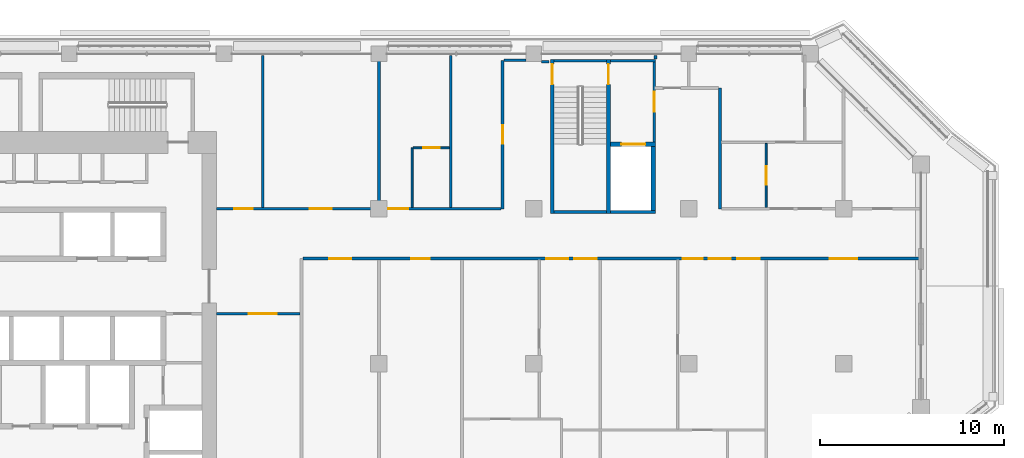
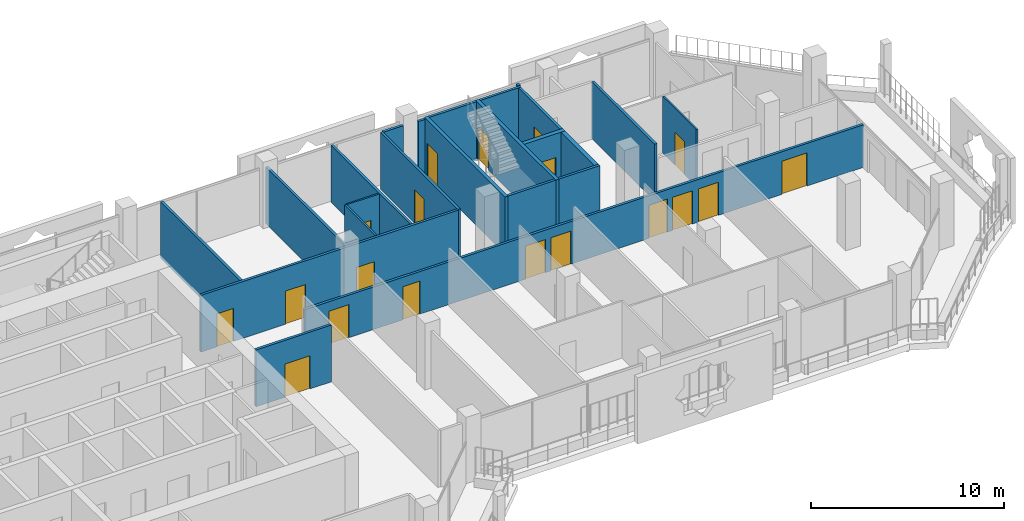
# One storey, part 12 of 21: 23 walls, 19 doors, 19 openings.
"""IFC4 building model written with IfcOpenShell, lengths in metres."""

from ifc_helpers import new_model, si_unit, direction, frame, frame_2d, origin, place, context, subcontext, project, spatial, rectangle, extrude, material, layer, layer_set, type_object, element, fill, save


model = new_model("IFC4")

# Units and contexts
model_context = context("Model", 3, precision=1e-05, world=origin(), true_north=direction((0.0, 1.0)))
body_context = subcontext(model_context, "Body", "Model", "MODEL_VIEW")
ifc_project = project(units=[si_unit("LENGTHUNIT", "METRE"), si_unit("AREAUNIT", "SQUARE_METRE"), si_unit("VOLUMEUNIT", "CUBIC_METRE"), si_unit("PLANEANGLEUNIT", "RADIAN"), si_unit("MASSUNIT", "GRAM", prefix="KILO")], contexts=[model_context])

# Site, building, storey
site_placement = place(None, origin())
site = spatial("IfcSite", under=ifc_project, at=site_placement, CompositionType="ELEMENT")
building_placement = place(site_placement, origin())
building = spatial("IfcBuilding", under=site, at=building_placement, Name="Kawkab Arch Medical Tower", CompositionType="ELEMENT")
storey_placement = place(building_placement, frame((0.0, 0.0, 260.0)))
storey = spatial("IfcBuildingStorey", under=building, at=storey_placement, Name="L60", CompositionType="ELEMENT", Elevation=260.0)

# Wall, opening, door
ifc_material_1 = material(Name="Gypsum board on steel studs", Category="steel")
ifc_layer_1 = layer(ifc_material_1, 0.14990234375)
ifc_layer_set_1 = layer_set([ifc_layer_1], Name="Gypsum board on steel studs")
wall_type_1 = type_object("IfcWallType", Name="Core room partition 150", PredefinedType="PARTITIONING", material=ifc_layer_set_1)
wall_1_placement = place(storey_placement, frame((48.52490234375, -4.77490234375, 0.0), z_axis=(0.0, 0.0, 1.0), x_axis=(0.0, 1.0, 0.0)))
wall_1 = element("IfcWall", 1, at=wall_1_placement, inside=storey, type_object=wall_type_1, Name="L60 core room partition", PredefinedType="PARTITIONING", context=body_context, shape_type="SweptSolid", body=[
    extrude(rectangle(XDim=4.324951171875, YDim=0.14990234375, at=frame_2d((2.16259765625, 0.0))), origin(), (0.0, 0.0, 1.0), 3.60009765625),
])
opening_1_placement = place(wall_1_placement, frame((1.625, 0.0, 0.0)))
opening_1 = element("IfcOpeningElement", 2, at=opening_1_placement, cuts=wall_1, Name="Opening FD", PredefinedType="OPENING", context=body_context, shape_type="SweptSolid", body=[
    extrude(rectangle(XDim=1.10009765625, YDim=2.10009765625, at=frame_2d((0.550048828125, 1.050048828125))), frame((0.0, 0.0849609375, 0.0), z_axis=(0.0, -1.0, 0.0), x_axis=(1.0, 0.0, 0.0)), (0.0, 0.0, 1.0), 0.169921875),
])
ifc_material_2 = material(Name="Hollow metal fire door leaf")
door_type_1 = type_object("IfcDoorType", Name="Firefighting lobby door 1100", OperationType="SINGLE_SWING_LEFT", PredefinedType="DOOR", material=ifc_material_2)
door_1_placement = place(opening_1_placement, origin())
door_1 = element("IfcDoor", 3, at=door_1_placement, inside=storey, type_object=door_type_1, Name="L60 Service lift lobby door SV1", OperationType="SINGLE_SWING_LEFT", OverallHeight=2.10009765625, OverallWidth=1.10009765625, PredefinedType="DOOR", context=body_context, shape_type="SweptSolid", body=[
    extrude(rectangle(XDim=1.10009765625, YDim=2.10009765625, at=frame_2d((0.550048828125, 1.050048828125))), frame((0.0, 0.02490234375, 0.0), z_axis=(0.0, -1.0, 0.0), x_axis=(1.0, 0.0, 0.0)), (0.0, 0.0, 1.0), 0.050048828125),
])
fill(opening_1, door_1)

ifc_material_3 = material(Name="Concrete C60/75", Category="concrete")
ifc_layer_2 = layer(ifc_material_3, 0.25)
ifc_layer_set_2 = layer_set([ifc_layer_2], Name="Concrete C60/75")
wall_type_2 = type_object("IfcWallType", Name="Core shear wall 250 C60/75", PredefinedType="SHEAR", material=ifc_layer_set_2)
wall_2_placement = place(storey_placement, frame((46.14990234375, -4.89990234375, 0.0), z_axis=(0.0, 0.0, 1.0), x_axis=(1.0, 0.0, 0.0)))
wall_2 = element("IfcWall", 4, at=wall_2_placement, inside=storey, type_object=wall_type_2, Name="L60 core shear wall", PredefinedType="SHEAR", context=body_context, shape_type="SweptSolid", body=[
    extrude(rectangle(XDim=2.4501953125, YDim=0.25, at=frame_2d((1.22509765625, 0.0))), origin(), (0.0, 0.0, 1.0), 3.60009765625),
])
opening_2_placement = place(wall_2_placement, frame((0.60009765625, 0.0, 0.0)))
opening_2 = element("IfcOpeningElement", 5, at=opening_2_placement, cuts=wall_2, Name="Opening LD2", PredefinedType="OPENING", context=body_context, shape_type="SweptSolid", body=[
    extrude(rectangle(XDim=1.300048828125, YDim=2.10009765625, at=frame_2d((0.64990234375, 1.050048828125))), frame((0.0, 0.135009765625, 0.0), z_axis=(0.0, -1.0, 0.0), x_axis=(1.0, 0.0, 0.0)), (0.0, 0.0, 1.0), 0.27001953125),
])
ifc_material_4 = material(Name="Stainless steel lift door leaf", Category="steel")
door_type_2 = type_object("IfcDoorType", Name="Lift landing door 1300", OperationType="DOUBLE_DOOR_SLIDING", PredefinedType="DOOR", material=ifc_material_4)
door_2_placement = place(opening_2_placement, origin())
door_2 = element("IfcDoor", 6, at=door_2_placement, inside=storey, type_object=door_type_2, Name="L60 Lift landing door SV1", OperationType="DOUBLE_DOOR_SLIDING", OverallHeight=2.10009765625, OverallWidth=1.300048828125, PredefinedType="DOOR", context=body_context, shape_type="SweptSolid", body=[
    extrude(rectangle(XDim=1.300048828125, YDim=2.10009765625, at=frame_2d((0.64990234375, 1.050048828125))), frame((0.0, 0.02490234375, 0.0), z_axis=(0.0, -1.0, 0.0), x_axis=(1.0, 0.0, 0.0)), (0.0, 0.0, 1.0), 0.050048828125),
])
fill(opening_2, door_2)

# Wall
wall_3_placement = place(storey_placement, frame((48.47509765625, -8.5, 0.0), z_axis=(0.0, 0.0, 1.0), x_axis=(0.0, 1.0, 0.0)))
element("IfcWall", 7, at=wall_3_placement, inside=storey, type_object=wall_type_2, Name="L60 core shear wall", PredefinedType="SHEAR", context=body_context, shape_type="SweptSolid", body=[
    extrude(rectangle(XDim=3.47509765625, YDim=0.25, at=frame_2d((1.737548828125, 0.0))), origin(), (0.0, 0.0, 1.0), 3.60009765625),
])

# Wall, opening, door
ifc_material_5 = material(Name="Gypsum board partition on steel studs", Category="steel")
ifc_layer_3 = layer(ifc_material_5, 0.10009765625)
ifc_layer_set_3 = layer_set([ifc_layer_3], Name="Gypsum board partition on steel studs")
wall_type_3 = type_object("IfcWallType", Name="Partition 100", PredefinedType="PARTITIONING", material=ifc_layer_set_3)
wall_4_placement = place(storey_placement, frame((35.449951171875, -5.10009765625, 0.0), z_axis=(0.0, 0.0, 1.0), x_axis=(1.0, 0.0, 0.0)))
wall_4 = element("IfcWall", 8, at=wall_4_placement, inside=storey, type_object=wall_type_3, Name="Partition 100 w003", PredefinedType="PARTITIONING", context=body_context, shape_type="SweptSolid", body=[
    extrude(rectangle(XDim=1.97509765625, YDim=0.10009765625, at=frame_2d((0.987548828125, 0.0))), origin(), (0.0, 0.0, 1.0), 3.60009765625),
])
opening_3_placement = place(wall_4_placement, frame((0.550048828125, 0.0, 0.0)))
opening_3 = element("IfcOpeningElement", 9, at=opening_3_placement, cuts=wall_4, Name="Opening W55-005", PredefinedType="OPENING", context=body_context, shape_type="SweptSolid", body=[
    extrude(rectangle(XDim=0.89990234375, YDim=2.10009765625, at=frame_2d((0.449951171875, 1.050048828125))), frame((0.0, 0.06005859375, 0.0), z_axis=(0.0, -1.0, 0.0), x_axis=(1.0, 0.0, 0.0)), (0.0, 0.0, 1.0), 0.1201171875),
])
ifc_material_6 = material(Name="Timber door leaf", Category="wood")
door_type_3 = type_object("IfcDoorType", Name="Single door 900x2100", OperationType="NOTDEFINED", PredefinedType="DOOR", material=ifc_material_6)
door_3_placement = place(opening_3_placement, origin())
door_3 = element("IfcDoor", 10, at=door_3_placement, inside=storey, type_object=door_type_3, Name="Door W55-005", OperationType="SINGLE_SWING_RIGHT", OverallHeight=2.10009765625, OverallWidth=0.89990234375, PredefinedType="DOOR", context=body_context, shape_type="SweptSolid", body=[
    extrude(rectangle(XDim=0.89990234375, YDim=2.10009765625, at=frame_2d((0.449951171875, 1.050048828125))), frame((0.0, 0.02490234375, 0.0), z_axis=(0.0, -1.0, 0.0), x_axis=(1.0, 0.0, 0.0)), (0.0, 0.0, 1.0), 0.050048828125),
])
fill(opening_3, door_3)

# Wall
wall_5_placement = place(storey_placement, frame((35.39990234375, -8.324951171875, 0.0), z_axis=(0.0, 0.0, 1.0), x_axis=(0.0, 1.0, 0.0)))
element("IfcWall", 11, at=wall_5_placement, inside=storey, type_object=wall_type_3, Name="Partition 100 w005", PredefinedType="PARTITIONING", context=body_context, shape_type="SweptSolid", body=[
    extrude(rectangle(XDim=3.224853515625, YDim=0.10009765625, at=frame_2d((1.6123046875, 0.0))), origin(), (0.0, 0.0, 1.0), 3.60009765625),
])

# Wall, opening, door
wall_6_placement = place(storey_placement, frame((54.60009765625, -8.324951171875, 0.0), z_axis=(0.0, 0.0, 1.0), x_axis=(0.0, 1.0, 0.0)))
wall_6 = element("IfcWall", 12, at=wall_6_placement, inside=storey, type_object=wall_type_3, Name="Partition 100 w010", PredefinedType="PARTITIONING", context=body_context, shape_type="SweptSolid", body=[
    extrude(rectangle(XDim=3.474853515625, YDim=0.10009765625, at=frame_2d((1.7373046875, 0.0))), origin(), (0.0, 0.0, 1.0), 3.60009765625),
])
opening_4_placement = place(wall_6_placement, frame((1.22509765625, 0.0, 0.0)))
opening_4 = element("IfcOpeningElement", 13, at=opening_4_placement, cuts=wall_6, Name="Opening W55-011", PredefinedType="OPENING", context=body_context, shape_type="SweptSolid", body=[
    extrude(rectangle(XDim=1.0, YDim=2.10009765625, at=frame_2d((0.5, 1.050048828125))), frame((0.0, 0.06005859375, 0.0), z_axis=(0.0, -1.0, 0.0), x_axis=(1.0, 0.0, 0.0)), (0.0, 0.0, 1.0), 0.1201171875),
])
ifc_material_7 = material(Name="Timber door leaf", Category="wood")
door_type_4 = type_object("IfcDoorType", Name="Single door 1000x2100", OperationType="NOTDEFINED", PredefinedType="DOOR", material=ifc_material_7)
door_4_placement = place(opening_4_placement, origin())
door_4 = element("IfcDoor", 14, at=door_4_placement, inside=storey, type_object=door_type_4, Name="Door W55-011", OperationType="SINGLE_SWING_RIGHT", OverallHeight=2.10009765625, OverallWidth=1.0, PredefinedType="DOOR", context=body_context, shape_type="SweptSolid", body=[
    extrude(rectangle(XDim=1.0, YDim=2.10009765625, at=frame_2d((0.5, 1.050048828125))), frame((0.0, 0.02490234375, 0.0), z_axis=(0.0, -1.0, 0.0), x_axis=(1.0, 0.0, 0.0)), (0.0, 0.0, 1.0), 0.050048828125),
])
fill(opening_4, door_4)

ifc_material_8 = material(Name="Gypsum board partition on steel studs, mineral wool", Category="steel")
ifc_layer_4 = layer(ifc_material_8, 0.14990234375)
ifc_layer_set_4 = layer_set([ifc_layer_4], Name="Gypsum board partition on steel studs, mineral wool")
wall_type_4 = type_object("IfcWallType", Name="Partition 150", PredefinedType="PARTITIONING", material=ifc_layer_set_4)
wall_7_placement = place(storey_placement, frame((24.800048828125, -14.10009765625, 0.0), z_axis=(0.0, 0.0, 1.0), x_axis=(1.0, 0.0, 0.0)))
wall_7 = element("IfcWall", 15, at=wall_7_placement, inside=storey, type_object=wall_type_4, Name="Partition 150 w020", PredefinedType="PARTITIONING", context=body_context, shape_type="SweptSolid", body=[
    extrude(rectangle(XDim=4.52490234375, YDim=0.14990234375, at=frame_2d((2.262451171875, 0.0))), origin(), (0.0, 0.0, 1.0), 3.60009765625),
])
opening_5_placement = place(wall_7_placement, frame((1.75, 0.0, 0.0)))
opening_5 = element("IfcOpeningElement", 16, at=opening_5_placement, cuts=wall_7, Name="Opening W55-001", PredefinedType="OPENING", context=body_context, shape_type="SweptSolid", body=[
    extrude(rectangle(XDim=1.5, YDim=2.10009765625, at=frame_2d((0.75, 1.050048828125))), frame((0.0, 0.0849609375, 0.0), z_axis=(0.0, -1.0, 0.0), x_axis=(1.0, 0.0, 0.0)), (0.0, 0.0, 1.0), 0.169921875),
])
ifc_material_9 = material(Name="Hollow metal door leaf")
door_type_5 = type_object("IfcDoorType", Name="Double door 1500x2100 FD30S", OperationType="NOTDEFINED", PredefinedType="DOOR", material=ifc_material_9)
door_5_placement = place(opening_5_placement, origin())
door_5 = element("IfcDoor", 17, at=door_5_placement, inside=storey, type_object=door_type_5, Name="Door W55-001", OperationType="DOUBLE_DOOR_SINGLE_SWING", OverallHeight=2.10009765625, OverallWidth=1.5, PredefinedType="DOOR", context=body_context, shape_type="SweptSolid", body=[
    extrude(rectangle(XDim=1.5, YDim=2.10009765625, at=frame_2d((0.75, 1.050048828125))), frame((0.0, 0.02490234375, 0.0), z_axis=(0.0, -1.0, 0.0), x_axis=(1.0, 0.0, 0.0)), (0.0, 0.0, 1.0), 0.050048828125),
])
fill(opening_5, door_5)

# Wall, openings, doors
wall_8_placement = place(storey_placement, frame((29.47509765625, -11.10009765625, 0.0), z_axis=(0.0, 0.0, 1.0), x_axis=(1.0, 0.0, 0.0)))
wall_8 = element("IfcWall", 18, at=wall_8_placement, inside=storey, type_object=wall_type_4, Name="Partition 150 w021", PredefinedType="PARTITIONING", context=body_context, shape_type="SweptSolid", body=[
    extrude(rectangle(XDim=33.44482421875, YDim=0.14990234375, at=frame_2d((16.722412109375, 0.0))), origin(), (0.0, 0.0, 1.0), 2.699951171875),
])
opening_6_placement = place(wall_8_placement, frame((1.425048828125, 0.0, 0.0)))
opening_6 = element("IfcOpeningElement", 19, at=opening_6_placement, cuts=wall_8, Name="Opening W55-026", PredefinedType="OPENING", context=body_context, shape_type="SweptSolid", body=[
    extrude(rectangle(XDim=1.199951171875, YDim=2.10009765625, at=frame_2d((0.60009765625, 1.050048828125))), frame((0.0, 0.0849609375, 0.0), z_axis=(0.0, -1.0, 0.0), x_axis=(1.0, 0.0, 0.0)), (0.0, 0.0, 1.0), 0.169921875),
])
opening_7_placement = place(wall_8_placement, frame((5.875, 0.0, 0.0)))
opening_7 = element("IfcOpeningElement", 20, at=opening_7_placement, cuts=wall_8, Name="Opening W55-019", PredefinedType="OPENING", context=body_context, shape_type="SweptSolid", body=[
    extrude(rectangle(XDim=1.0, YDim=2.10009765625, at=frame_2d((0.5, 1.050048828125))), frame((0.0, 0.0849609375, 0.0), z_axis=(0.0, -1.0, 0.0), x_axis=(1.0, 0.0, 0.0)), (0.0, 0.0, 1.0), 0.169921875),
])
opening_8_placement = place(wall_8_placement, frame((14.72509765625, 0.0, 0.0)))
opening_8 = element("IfcOpeningElement", 21, at=opening_8_placement, cuts=wall_8, Name="Opening W55-027", PredefinedType="OPENING", context=body_context, shape_type="SweptSolid", body=[
    extrude(rectangle(XDim=1.199951171875, YDim=2.10009765625, at=frame_2d((0.60009765625, 1.050048828125))), frame((0.0, 0.0849609375, 0.0), z_axis=(0.0, -1.0, 0.0), x_axis=(1.0, 0.0, 0.0)), (0.0, 0.0, 1.0), 0.169921875),
])
opening_9_placement = place(wall_8_placement, frame((13.205078125, 0.0, 0.0)))
opening_9 = element("IfcOpeningElement", 22, at=opening_9_placement, cuts=wall_8, Name="Opening W55-028", PredefinedType="OPENING", context=body_context, shape_type="SweptSolid", body=[
    extrude(rectangle(XDim=1.199951171875, YDim=2.10009765625, at=frame_2d((0.60009765625, 1.050048828125))), frame((0.0, 0.0849609375, 0.0), z_axis=(0.0, -1.0, 0.0), x_axis=(1.0, 0.0, 0.0)), (0.0, 0.0, 1.0), 0.169921875),
])
opening_10_placement = place(wall_8_placement, frame((23.56494140625, 0.0, 0.0)))
opening_10 = element("IfcOpeningElement", 23, at=opening_10_placement, cuts=wall_8, Name="Opening W55-029", PredefinedType="OPENING", context=body_context, shape_type="SweptSolid", body=[
    extrude(rectangle(XDim=1.199951171875, YDim=2.10009765625, at=frame_2d((0.60009765625, 1.050048828125))), frame((0.0, 0.0849609375, 0.0), z_axis=(0.0, -1.0, 0.0), x_axis=(1.0, 0.0, 0.0)), (0.0, 0.0, 1.0), 0.169921875),
])
opening_11_placement = place(wall_8_placement, frame((22.0048828125, 0.0, 0.0)))
opening_11 = element("IfcOpeningElement", 24, at=opening_11_placement, cuts=wall_8, Name="Opening W55-030", PredefinedType="OPENING", context=body_context, shape_type="SweptSolid", body=[
    extrude(rectangle(XDim=1.199951171875, YDim=2.10009765625, at=frame_2d((0.60009765625, 1.050048828125))), frame((0.0, 0.0849609375, 0.0), z_axis=(0.0, -1.0, 0.0), x_axis=(1.0, 0.0, 0.0)), (0.0, 0.0, 1.0), 0.169921875),
])
opening_12_placement = place(wall_8_placement, frame((20.594970703125, 0.0, 0.0)))
opening_12 = element("IfcOpeningElement", 25, at=opening_12_placement, cuts=wall_8, Name="Opening W55-023", PredefinedType="OPENING", context=body_context, shape_type="SweptSolid", body=[
    extrude(rectangle(XDim=1.10009765625, YDim=2.10009765625, at=frame_2d((0.550048828125, 1.050048828125))), frame((0.0, 0.0849609375, 0.0), z_axis=(0.0, -1.0, 0.0), x_axis=(1.0, 0.0, 0.0)), (0.0, 0.0, 1.0), 0.169921875),
])
opening_13_placement = place(wall_8_placement, frame((28.574951171875, 0.0, 0.0)))
opening_13 = element("IfcOpeningElement", 26, at=opening_13_placement, cuts=wall_8, Name="Opening W55-002", PredefinedType="OPENING", context=body_context, shape_type="SweptSolid", body=[
    extrude(rectangle(XDim=1.5, YDim=2.10009765625, at=frame_2d((0.75, 1.050048828125))), frame((0.0, 0.0849609375, 0.0), z_axis=(0.0, -1.0, 0.0), x_axis=(1.0, 0.0, 0.0)), (0.0, 0.0, 1.0), 0.169921875),
])
door_6_placement = place(opening_13_placement, origin())
door_6 = element("IfcDoor", 27, at=door_6_placement, inside=storey, type_object=door_type_5, Name="Door W55-002", OperationType="DOUBLE_DOOR_SINGLE_SWING", OverallHeight=2.10009765625, OverallWidth=1.5, PredefinedType="DOOR", context=body_context, shape_type="SweptSolid", body=[
    extrude(rectangle(XDim=1.5, YDim=2.10009765625, at=frame_2d((0.75, 1.050048828125))), frame((0.0, 0.02490234375, 0.0), z_axis=(0.0, -1.0, 0.0), x_axis=(1.0, 0.0, 0.0)), (0.0, 0.0, 1.0), 0.050048828125),
])
fill(opening_13, door_6)
ifc_material_10 = material(Name="Hollow metal door leaf")
door_type_6 = type_object("IfcDoorType", Name="Single door 1000x2100 FD30S", OperationType="NOTDEFINED", PredefinedType="DOOR", material=ifc_material_10)
door_7_placement = place(opening_7_placement, origin())
door_7 = element("IfcDoor", 28, at=door_7_placement, inside=storey, type_object=door_type_6, Name="Door W55-019", OperationType="SINGLE_SWING_RIGHT", OverallHeight=2.10009765625, OverallWidth=1.0, PredefinedType="DOOR", context=body_context, shape_type="SweptSolid", body=[
    extrude(rectangle(XDim=1.0, YDim=2.10009765625, at=frame_2d((0.5, 1.050048828125))), frame((0.0, 0.02490234375, 0.0), z_axis=(0.0, -1.0, 0.0), x_axis=(1.0, 0.0, 0.0)), (0.0, 0.0, 1.0), 0.050048828125),
])
fill(opening_7, door_7)
ifc_material_11 = material(Name="Hollow metal door leaf")
door_type_7 = type_object("IfcDoorType", Name="Single door 1100x2100 FD30S", OperationType="NOTDEFINED", PredefinedType="DOOR", material=ifc_material_11)
door_8_placement = place(opening_12_placement, origin())
door_8 = element("IfcDoor", 29, at=door_8_placement, inside=storey, type_object=door_type_7, Name="Door W55-023", OperationType="SINGLE_SWING_LEFT", OverallHeight=2.10009765625, OverallWidth=1.10009765625, PredefinedType="DOOR", context=body_context, shape_type="SweptSolid", body=[
    extrude(rectangle(XDim=1.10009765625, YDim=2.10009765625, at=frame_2d((0.550048828125, 1.050048828125))), frame((0.0, 0.02490234375, 0.0), z_axis=(0.0, -1.0, 0.0), x_axis=(1.0, 0.0, 0.0)), (0.0, 0.0, 1.0), 0.050048828125),
])
fill(opening_12, door_8)
ifc_material_12 = material(Name="Hollow metal door leaf")
door_type_8 = type_object("IfcDoorType", Name="Single door 1200x2100 FD30S", OperationType="NOTDEFINED", PredefinedType="DOOR", material=ifc_material_12)
door_9_placement = place(opening_6_placement, origin())
door_9 = element("IfcDoor", 30, at=door_9_placement, inside=storey, type_object=door_type_8, Name="Door W55-026", OperationType="SINGLE_SWING_RIGHT", OverallHeight=2.10009765625, OverallWidth=1.199951171875, PredefinedType="DOOR", context=body_context, shape_type="SweptSolid", body=[
    extrude(rectangle(XDim=1.199951171875, YDim=2.10009765625, at=frame_2d((0.60009765625, 1.050048828125))), frame((0.0, 0.02490234375, 0.0), z_axis=(0.0, -1.0, 0.0), x_axis=(1.0, 0.0, 0.0)), (0.0, 0.0, 1.0), 0.050048828125),
])
fill(opening_6, door_9)
door_10_placement = place(opening_8_placement, origin())
door_10 = element("IfcDoor", 31, at=door_10_placement, inside=storey, type_object=door_type_8, Name="Door W55-027", OperationType="SINGLE_SWING_RIGHT", OverallHeight=2.10009765625, OverallWidth=1.199951171875, PredefinedType="DOOR", context=body_context, shape_type="SweptSolid", body=[
    extrude(rectangle(XDim=1.199951171875, YDim=2.10009765625, at=frame_2d((0.60009765625, 1.050048828125))), frame((0.0, 0.02490234375, 0.0), z_axis=(0.0, -1.0, 0.0), x_axis=(1.0, 0.0, 0.0)), (0.0, 0.0, 1.0), 0.050048828125),
])
fill(opening_8, door_10)
door_11_placement = place(opening_9_placement, origin())
door_11 = element("IfcDoor", 32, at=door_11_placement, inside=storey, type_object=door_type_8, Name="Door W55-028", OperationType="SINGLE_SWING_RIGHT", OverallHeight=2.10009765625, OverallWidth=1.199951171875, PredefinedType="DOOR", context=body_context, shape_type="SweptSolid", body=[
    extrude(rectangle(XDim=1.199951171875, YDim=2.10009765625, at=frame_2d((0.60009765625, 1.050048828125))), frame((0.0, 0.02490234375, 0.0), z_axis=(0.0, -1.0, 0.0), x_axis=(1.0, 0.0, 0.0)), (0.0, 0.0, 1.0), 0.050048828125),
])
fill(opening_9, door_11)
door_12_placement = place(opening_10_placement, origin())
door_12 = element("IfcDoor", 33, at=door_12_placement, inside=storey, type_object=door_type_8, Name="Door W55-029", OperationType="SINGLE_SWING_LEFT", OverallHeight=2.10009765625, OverallWidth=1.199951171875, PredefinedType="DOOR", context=body_context, shape_type="SweptSolid", body=[
    extrude(rectangle(XDim=1.199951171875, YDim=2.10009765625, at=frame_2d((0.60009765625, 1.050048828125))), frame((0.0, 0.02490234375, 0.0), z_axis=(0.0, -1.0, 0.0), x_axis=(1.0, 0.0, 0.0)), (0.0, 0.0, 1.0), 0.050048828125),
])
fill(opening_10, door_12)
door_13_placement = place(opening_11_placement, origin())
door_13 = element("IfcDoor", 34, at=door_13_placement, inside=storey, type_object=door_type_8, Name="Door W55-030", OperationType="SINGLE_SWING_LEFT", OverallHeight=2.10009765625, OverallWidth=1.199951171875, PredefinedType="DOOR", context=body_context, shape_type="SweptSolid", body=[
    extrude(rectangle(XDim=1.199951171875, YDim=2.10009765625, at=frame_2d((0.60009765625, 1.050048828125))), frame((0.0, 0.02490234375, 0.0), z_axis=(0.0, -1.0, 0.0), x_axis=(1.0, 0.0, 0.0)), (0.0, 0.0, 1.0), 0.050048828125),
])
fill(opening_11, door_13)

wall_9_placement = place(storey_placement, frame((24.800048828125, -8.39990234375, 0.0), z_axis=(0.0, 0.0, 1.0), x_axis=(1.0, 0.0, 0.0)))
wall_9 = element("IfcWall", 35, at=wall_9_placement, inside=storey, type_object=wall_type_4, Name="Partition 150 w022", PredefinedType="PARTITIONING", context=body_context, shape_type="SweptSolid", body=[
    extrude(rectangle(XDim=15.431884765625, YDim=0.14990234375, at=frame_2d((7.7158203125, 0.0))), origin(), (0.0, 0.0, 1.0), 3.60009765625),
])
opening_14_placement = place(wall_9_placement, frame((9.300048828125, 0.0, 0.0)))
opening_14 = element("IfcOpeningElement", 36, at=opening_14_placement, cuts=wall_9, Name="Opening W55-022", PredefinedType="OPENING", context=body_context, shape_type="SweptSolid", body=[
    extrude(rectangle(XDim=1.10009765625, YDim=2.10009765625, at=frame_2d((0.550048828125, 1.050048828125))), frame((0.0, 0.0849609375, 0.0), z_axis=(0.0, -1.0, 0.0), x_axis=(1.0, 0.0, 0.0)), (0.0, 0.0, 1.0), 0.169921875),
])
opening_15_placement = place(wall_9_placement, frame((0.949951171875, 0.0, 0.0)))
opening_15 = element("IfcOpeningElement", 37, at=opening_15_placement, cuts=wall_9, Name="Opening W55-016", PredefinedType="OPENING", context=body_context, shape_type="SweptSolid", body=[
    extrude(rectangle(XDim=1.0, YDim=2.10009765625, at=frame_2d((0.5, 1.050048828125))), frame((0.0, 0.0849609375, 0.0), z_axis=(0.0, -1.0, 0.0), x_axis=(1.0, 0.0, 0.0)), (0.0, 0.0, 1.0), 0.169921875),
])
opening_16_placement = place(wall_9_placement, frame((5.050048828125, 0.0, 0.0)))
opening_16 = element("IfcOpeningElement", 38, at=opening_16_placement, cuts=wall_9, Name="Opening W55-032", PredefinedType="OPENING", context=body_context, shape_type="SweptSolid", body=[
    extrude(rectangle(XDim=1.199951171875, YDim=2.10009765625, at=frame_2d((0.60009765625, 1.050048828125))), frame((0.0, 0.0849609375, 0.0), z_axis=(0.0, -1.0, 0.0), x_axis=(1.0, 0.0, 0.0)), (0.0, 0.0, 1.0), 0.169921875),
])
door_14_placement = place(opening_15_placement, origin())
door_14 = element("IfcDoor", 39, at=door_14_placement, inside=storey, type_object=door_type_4, Name="Door W55-016", OperationType="SINGLE_SWING_LEFT", OverallHeight=2.10009765625, OverallWidth=1.0, PredefinedType="DOOR", context=body_context, shape_type="SweptSolid", body=[
    extrude(rectangle(XDim=1.0, YDim=2.10009765625, at=frame_2d((0.5, 1.050048828125))), frame((0.0, 0.02490234375, 0.0), z_axis=(0.0, -1.0, 0.0), x_axis=(1.0, 0.0, 0.0)), (0.0, 0.0, 1.0), 0.050048828125),
])
fill(opening_15, door_14)
door_15_placement = place(opening_14_placement, origin())
door_15 = element("IfcDoor", 40, at=door_15_placement, inside=storey, type_object=door_type_7, Name="Door W55-022", OperationType="SINGLE_SWING_RIGHT", OverallHeight=2.10009765625, OverallWidth=1.10009765625, PredefinedType="DOOR", context=body_context, shape_type="SweptSolid", body=[
    extrude(rectangle(XDim=1.10009765625, YDim=2.10009765625, at=frame_2d((0.550048828125, 1.050048828125))), frame((0.0, 0.02490234375, 0.0), z_axis=(0.0, -1.0, 0.0), x_axis=(1.0, 0.0, 0.0)), (0.0, 0.0, 1.0), 0.050048828125),
])
fill(opening_14, door_15)
door_16_placement = place(opening_16_placement, origin())
door_16 = element("IfcDoor", 41, at=door_16_placement, inside=storey, type_object=door_type_8, Name="Door W55-032", OperationType="SINGLE_SWING_LEFT", OverallHeight=2.10009765625, OverallWidth=1.199951171875, PredefinedType="DOOR", context=body_context, shape_type="SweptSolid", body=[
    extrude(rectangle(XDim=1.199951171875, YDim=2.10009765625, at=frame_2d((0.60009765625, 1.050048828125))), frame((0.0, 0.02490234375, 0.0), z_axis=(0.0, -1.0, 0.0), x_axis=(1.0, 0.0, 0.0)), (0.0, 0.0, 1.0), 0.050048828125),
])
fill(opening_16, door_16)

# Walls
wall_10_placement = place(storey_placement, frame((42.427001953125, -0.425048828125, 0.0), z_axis=(0.0, 0.0, 1.0), x_axis=(1.0, 0.0, 0.0)))
element("IfcWall", 42, at=wall_10_placement, inside=storey, type_object=wall_type_4, Name="Partition 150 w026", PredefinedType="PARTITIONING", context=body_context, shape_type="SweptSolid", body=[
    extrude(rectangle(XDim=0.39306640625, YDim=0.14990234375, at=frame_2d((0.196533203125, 0.0))), origin(), (0.0, 0.0, 1.0), 3.60009765625),
])
wall_11_placement = place(storey_placement, frame((40.383056640625, -0.35009765625, 0.0), z_axis=(0.0, 0.0, 1.0), x_axis=(1.0, 0.0, 0.0)))
element("IfcWall", 43, at=wall_11_placement, inside=storey, type_object=wall_type_4, Name="Partition 150 w027", PredefinedType="PARTITIONING", context=body_context, shape_type="SweptSolid", body=[
    extrude(rectangle(XDim=1.19189453125, YDim=0.14990234375, at=frame_2d((0.595947265625, 0.0))), origin(), (0.0, 0.0, 1.0), 3.60009765625),
])
for number, where, z_axis, x_axis, name in (
    (44, (27.300048828125, -8.324951171875, 0.0), (0.0, 0.0, 1.0), (0.0, 1.0, 0.0), "Partition 150 w037"),
    (45, (33.60009765625, -8.324951171875, 0.0), (0.0, 0.0, 1.0), (0.0, 1.0, 0.0), "Partition 150 w040"),
    (46, (37.5, -8.324951171875, 0.0), (0.0, 0.0, 1.0), (0.0, 1.0, 0.0), "Partition 150 w041"),
):
    element("IfcWall", number, at=place(storey_placement, frame(where, z_axis=z_axis, x_axis=x_axis)), inside=storey, type_object=wall_type_4, Name=name, PredefinedType="PARTITIONING", context=body_context, shape_type="SweptSolid", body=[
        extrude(rectangle(XDim=8.244873046875, YDim=0.14990234375, at=frame_2d((4.12255859375, 0.0))), origin(), (0.0, 0.0, 1.0), 3.60009765625),
    ])

# Wall, opening, door
wall_12_placement = place(storey_placement, frame((40.306884765625, -8.39990234375, 0.0), z_axis=(0.0, 0.0, 1.0), x_axis=(0.0, 1.0, 0.0)))
wall_12 = element("IfcWall", 47, at=wall_12_placement, inside=storey, type_object=wall_type_4, Name="Partition 150 w043", PredefinedType="PARTITIONING", context=body_context, shape_type="SweptSolid", body=[
    extrude(rectangle(XDim=8.0478515625, YDim=0.14990234375, at=frame_2d((4.02392578125, 0.0))), origin(), (0.0, 0.0, 1.0), 3.60009765625),
])
opening_17_placement = place(wall_12_placement, frame((3.52392578125, 0.0, 0.0)))
opening_17 = element("IfcOpeningElement", 48, at=opening_17_placement, cuts=wall_12, Name="Opening W55-017", PredefinedType="OPENING", context=body_context, shape_type="SweptSolid", body=[
    extrude(rectangle(XDim=1.0, YDim=2.10009765625, at=frame_2d((0.5, 1.050048828125))), frame((0.0, 0.0849609375, 0.0), z_axis=(0.0, -1.0, 0.0), x_axis=(1.0, 0.0, 0.0)), (0.0, 0.0, 1.0), 0.169921875),
])
door_17_placement = place(opening_17_placement, origin())
door_17 = element("IfcDoor", 49, at=door_17_placement, inside=storey, type_object=door_type_6, Name="Door W55-017", OperationType="SINGLE_SWING_LEFT", OverallHeight=2.10009765625, OverallWidth=1.0, PredefinedType="DOOR", context=body_context, shape_type="SweptSolid", body=[
    extrude(rectangle(XDim=1.0, YDim=2.10009765625, at=frame_2d((0.5, 1.050048828125))), frame((0.0, 0.02490234375, 0.0), z_axis=(0.0, -1.0, 0.0), x_axis=(1.0, 0.0, 0.0)), (0.0, 0.0, 1.0), 0.050048828125),
])
fill(opening_17, door_17)

# Walls
wall_13_placement = place(storey_placement, frame((48.60009765625, -0.27001953125, 0.0), z_axis=(0.0, 0.0, 1.0), x_axis=(0.0, 1.0, 0.0)))
element("IfcWall", 50, at=wall_13_placement, inside=storey, type_object=wall_type_4, Name="Partition 150 w045", PredefinedType="PARTITIONING", context=body_context, shape_type="SweptSolid", body=[
    extrude(rectangle(XDim=0.18994140625, YDim=0.14990234375, at=frame_2d((0.094970703125, 0.0))), origin(), (0.0, 0.0, 1.0), 3.60009765625),
])
wall_14_placement = place(storey_placement, frame((52.093017578125, -8.39990234375, 0.0), z_axis=(0.0, 0.0, 1.0), x_axis=(0.0, 1.0, 0.0)))
element("IfcWall", 51, at=wall_14_placement, inside=storey, type_object=wall_type_4, Name="Partition 150 w047", PredefinedType="PARTITIONING", context=body_context, shape_type="SweptSolid", body=[
    extrude(rectangle(XDim=6.5498046875, YDim=0.14990234375, at=frame_2d((3.27490234375, 0.0))), origin(), (0.0, 0.0, 1.0), 3.60009765625),
])
ifc_material_13 = material(Name="Concrete C50/60", Category="concrete")
ifc_layer_5 = layer(ifc_material_13, 0.14990234375)
ifc_layer_set_5 = layer_set([ifc_layer_5], Name="Concrete C50/60")
wall_type_5 = type_object("IfcWallType", Name="Stair enclosure wall 150 C50/60", PredefinedType="SHEAR", material=ifc_layer_set_5)
wall_15_placement = place(storey_placement, frame((43.10009765625, -0.375, 0.0), z_axis=(0.0, 0.0, 1.0), x_axis=(1.0, 0.0, 0.0)))
element("IfcWall", 52, at=wall_15_placement, inside=storey, type_object=wall_type_5, Name="L60 stair enclosure wall", PredefinedType="SHEAR", context=body_context, shape_type="SweptSolid", body=[
    extrude(rectangle(XDim=2.849853515625, YDim=0.14990234375, at=frame_2d((1.4248046875, 0.0))), origin(), (0.0, 0.0, 1.0), 3.60009765625),
])
wall_16_placement = place(storey_placement, frame((46.14990234375, -0.375, 0.0), z_axis=(0.0, 0.0, 1.0), x_axis=(1.0, 0.0, 0.0)))
element("IfcWall", 53, at=wall_16_placement, inside=storey, type_object=wall_type_5, Name="L60 stair enclosure wall", PredefinedType="SHEAR", context=body_context, shape_type="SweptSolid", body=[
    extrude(rectangle(XDim=2.4501953125, YDim=0.14990234375, at=frame_2d((1.22509765625, 0.0))), origin(), (0.0, 0.0, 1.0), 3.60009765625),
])
wall_17_placement = place(storey_placement, frame((43.10009765625, -8.574951171875, 0.0), z_axis=(0.0, 0.0, 1.0), x_axis=(1.0, 0.0, 0.0)))
element("IfcWall", 54, at=wall_17_placement, inside=storey, type_object=wall_type_5, Name="L60 stair enclosure wall", PredefinedType="SHEAR", context=body_context, shape_type="SweptSolid", body=[
    extrude(rectangle(XDim=2.849853515625, YDim=0.14990234375, at=frame_2d((1.4248046875, 0.0))), origin(), (0.0, 0.0, 1.0), 3.60009765625),
])
wall_18_placement = place(storey_placement, frame((46.14990234375, -8.574951171875, 0.0), z_axis=(0.0, 0.0, 1.0), x_axis=(1.0, 0.0, 0.0)))
element("IfcWall", 55, at=wall_18_placement, inside=storey, type_object=wall_type_5, Name="L60 stair enclosure wall", PredefinedType="SHEAR", context=body_context, shape_type="SweptSolid", body=[
    extrude(rectangle(XDim=2.4501953125, YDim=0.14990234375, at=frame_2d((1.22509765625, 0.0))), origin(), (0.0, 0.0, 1.0), 3.60009765625),
])

# Wall, opening, door
ifc_material_14 = material(Name="Concrete C50/60", Category="concrete")
ifc_layer_6 = layer(ifc_material_14, 0.199951171875)
ifc_layer_set_6 = layer_set([ifc_layer_6], Name="Concrete C50/60")
wall_type_6 = type_object("IfcWallType", Name="Stair enclosure wall 200 C50/60", PredefinedType="SHEAR", material=ifc_layer_set_6)
wall_19_placement = place(storey_placement, frame((43.0, -8.64990234375, 0.0), z_axis=(0.0, 0.0, 1.0), x_axis=(0.0, 1.0, 0.0)))
wall_19 = element("IfcWall", 56, at=wall_19_placement, inside=storey, type_object=wall_type_6, Name="L60 stair enclosure wall", PredefinedType="SHEAR", context=body_context, shape_type="SweptSolid", body=[
    extrude(rectangle(XDim=8.349853515625, YDim=0.199951171875, at=frame_2d((4.1748046875, 0.0))), origin(), (0.0, 0.0, 1.0), 3.60009765625),
])
opening_18_placement = place(wall_19_placement, frame((7.0, 0.0, 0.0)))
opening_18 = element("IfcOpeningElement", 57, at=opening_18_placement, cuts=wall_19, Name="Opening SD", PredefinedType="OPENING", context=body_context, shape_type="SweptSolid", body=[
    extrude(rectangle(XDim=1.10009765625, YDim=2.10009765625, at=frame_2d((0.550048828125, 1.050048828125))), frame((0.0, 0.10986328125, 0.0), z_axis=(0.0, -1.0, 0.0), x_axis=(1.0, 0.0, 0.0)), (0.0, 0.0, 1.0), 0.219970703125),
])
ifc_material_15 = material(Name="Hollow metal fire door leaf")
door_type_9 = type_object("IfcDoorType", Name="Exit stair door 1100", OperationType="SINGLE_SWING_LEFT", PredefinedType="DOOR", material=ifc_material_15)
door_18_placement = place(opening_18_placement, frame((1.10009765625, 0.0, 0.0), z_axis=(0.0, 0.0, 1.0), x_axis=(-1.0, 0.0, 0.0)))
door_18 = element("IfcDoor", 58, at=door_18_placement, inside=storey, type_object=door_type_9, Name="L60 Exit stair ST5 door", OperationType="SINGLE_SWING_LEFT", OverallHeight=2.10009765625, OverallWidth=1.10009765625, PredefinedType="DOOR", context=body_context, shape_type="SweptSolid", body=[
    extrude(rectangle(XDim=1.10009765625, YDim=2.10009765625, at=frame_2d((0.550048828125, 1.050048828125))), frame((0.0, 0.02490234375, 0.0), z_axis=(0.0, -1.0, 0.0), x_axis=(1.0, 0.0, 0.0)), (0.0, 0.0, 1.0), 0.050048828125),
])
fill(opening_18, door_18)

wall_20_placement = place(storey_placement, frame((46.050048828125, -8.64990234375, 0.0), z_axis=(0.0, 0.0, 1.0), x_axis=(0.0, 1.0, 0.0)))
wall_20 = element("IfcWall", 59, at=wall_20_placement, inside=storey, type_object=wall_type_6, Name="L60 stair enclosure wall", PredefinedType="SHEAR", context=body_context, shape_type="SweptSolid", body=[
    extrude(rectangle(XDim=8.349853515625, YDim=0.199951171875, at=frame_2d((4.1748046875, 0.0))), origin(), (0.0, 0.0, 1.0), 3.60009765625),
])
opening_19_placement = place(wall_20_placement, frame((7.0, 0.0, 0.0)))
opening_19 = element("IfcOpeningElement", 60, at=opening_19_placement, cuts=wall_20, Name="Opening SD", PredefinedType="OPENING", context=body_context, shape_type="SweptSolid", body=[
    extrude(rectangle(XDim=1.10009765625, YDim=2.10009765625, at=frame_2d((0.550048828125, 1.050048828125))), frame((0.0, 0.10986328125, 0.0), z_axis=(0.0, -1.0, 0.0), x_axis=(1.0, 0.0, 0.0)), (0.0, 0.0, 1.0), 0.219970703125),
])
door_19_placement = place(opening_19_placement, origin())
door_19 = element("IfcDoor", 61, at=door_19_placement, inside=storey, type_object=door_type_9, Name="L60 Exit stair ST5 lobby door", OperationType="SINGLE_SWING_LEFT", OverallHeight=2.10009765625, OverallWidth=1.10009765625, PredefinedType="DOOR", context=body_context, shape_type="SweptSolid", body=[
    extrude(rectangle(XDim=1.10009765625, YDim=2.10009765625, at=frame_2d((0.550048828125, 1.050048828125))), frame((0.0, 0.02490234375, 0.0), z_axis=(0.0, -1.0, 0.0), x_axis=(1.0, 0.0, 0.0)), (0.0, 0.0, 1.0), 0.050048828125),
])
fill(opening_19, door_19)

save(model, "model.ifc")
